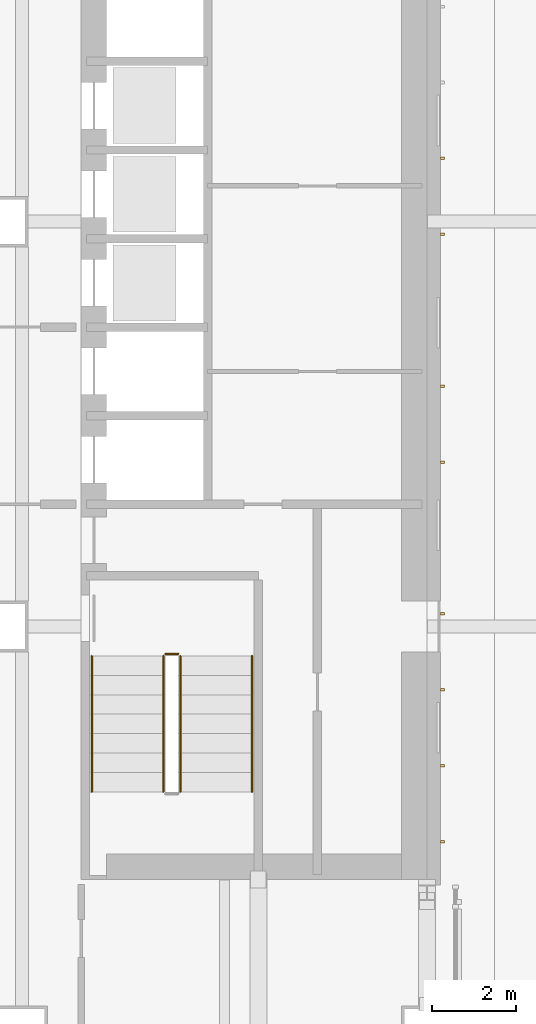
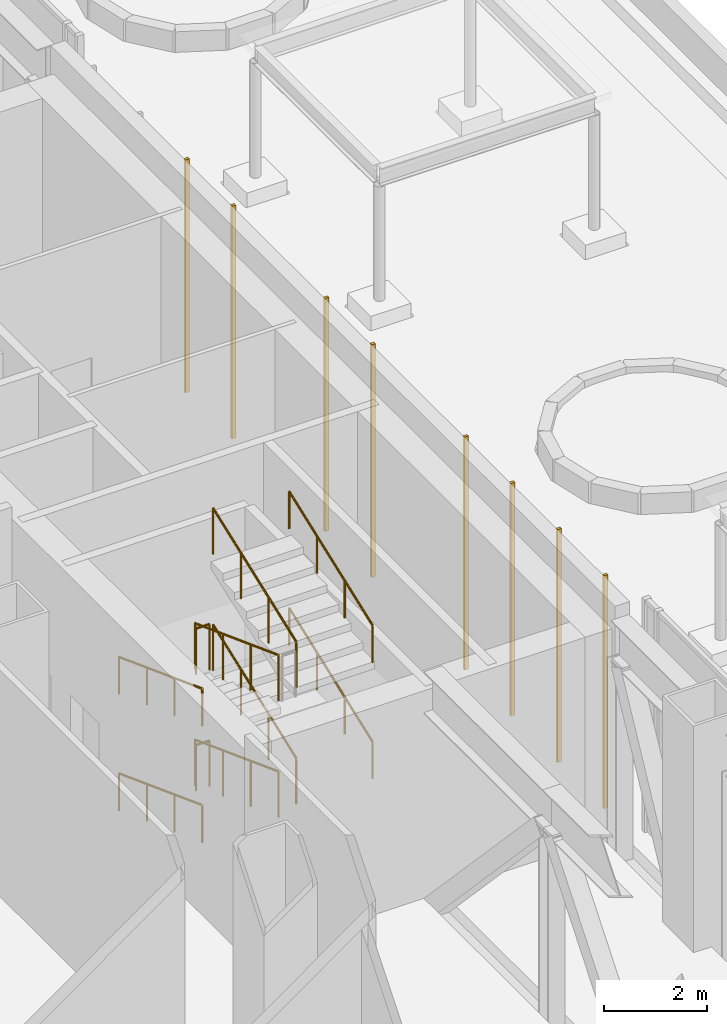
# One storey, part 34 of 39: 10 railings, 8 coverings.
"""IFC4 building model written with IfcOpenShell, lengths in metres."""

from ifc_helpers import new_model, si_unit, direction, frame, origin, origin_2d, place, context, subcontext, project, spatial, rectangle, circle, extrude, material, type_object, element, save


model = new_model("IFC4")

# Units and contexts
model_context = context("Model", 3, precision=1e-05, world=origin(), true_north=direction((0.0, 1.0)))
body_context = subcontext(model_context, "Body", "Model", "MODEL_VIEW")
ifc_project = project(units=[si_unit("LENGTHUNIT", "METRE"), si_unit("AREAUNIT", "SQUARE_METRE"), si_unit("VOLUMEUNIT", "CUBIC_METRE"), si_unit("PLANEANGLEUNIT", "RADIAN"), si_unit("MASSUNIT", "GRAM", prefix="KILO")], contexts=[model_context])

# Site, building, storey
site_placement = place(None, origin())
site = spatial("IfcSite", under=ifc_project, at=site_placement, CompositionType="ELEMENT")
building_placement = place(site_placement, origin())
building = spatial("IfcBuilding", under=site, at=building_placement, Name="Cobrizo Arcos Hotel Tower", CompositionType="ELEMENT")
storey_placement = place(building_placement, frame((0.0, 0.0, 33.5)))
storey = spatial("IfcBuildingStorey", under=building, at=storey_placement, Name="L06", CompositionType="ELEMENT", Elevation=33.5)

# Coverings
ifc_material_1 = material(Name="Aluminium 6063-T6 anodised pale", Category="aluminium")
covering_type = type_object("IfcCoveringType", Name="RS-1 rainscreen rib 60x90", PredefinedType="CLADDING", material=ifc_material_1)
for number, where, z_axis, x_axis, name in (
    (1, (24.3701171875, -9.89990234375, 0.0), (0.0, 0.0, 1.0), (0.0, 1.0, 0.0), "Rainscreen rib 1"),
    (2, (24.3701171875, -8.10009765625, 0.0), (0.0, 0.0, 1.0), (0.0, 1.0, 0.0), "Rainscreen rib 2"),
    (3, (24.3701171875, -6.300048828125, 0.0), (0.0, 0.0, 1.0), (0.0, 1.0, 0.0), "Rainscreen rib 3"),
    (4, (24.3701171875, -4.5, 0.0), (0.0, 0.0, 1.0), (0.0, 1.0, 0.0), "Rainscreen rib 4"),
    (5, (24.3701171875, -0.89990234375, 0.0), (0.0, 0.0, 1.0), (0.0, 1.0, 0.0), "Rainscreen rib 5"),
    (6, (24.3701171875, 0.89990234375, 0.0), (0.0, 0.0, 1.0), (0.0, 1.0, 0.0), "Rainscreen rib 6"),
    (7, (24.3701171875, 4.5, 0.0), (0.0, 0.0, 1.0), (0.0, 1.0, 0.0), "Rainscreen rib 7"),
    (8, (24.3701171875, 6.300048828125, 0.0), (0.0, 0.0, 1.0), (0.0, 1.0, 0.0), "Rainscreen rib 8"),
):
    element("IfcCovering", number, at=place(storey_placement, frame(where, z_axis=z_axis, x_axis=x_axis)), inside=storey, type_object=covering_type, Name=name, PredefinedType="CLADDING", context=body_context, shape_type="SweptSolid", body=[
        extrude(rectangle(XDim=0.06005859375, YDim=0.090087890625, at=origin_2d()), origin(), (0.0, 0.0, 1.0), 5.5),
    ])

# Railings
ifc_material_2 = material(Name="Stainless steel railing", Category="steel")
railing_type_1 = type_object("IfcRailingType", Name="Stair guard 1100", PredefinedType="GUARDRAIL", material=ifc_material_2)
railing_1_placement = place(storey_placement, frame((17.75, -5.5, 0.171875)))
element("IfcRailing", 9, at=railing_1_placement, inside=storey, type_object=railing_type_1, Name="L06 ST-E stair guard 1", PredefinedType="GUARDRAIL", context=body_context, shape_type="SweptSolid", body=[
    extrude(circle(Radius=0.02392578125, at=origin_2d()), frame((0.0, 0.0, 1.076171875), z_axis=(0.0, -0.936745908249, 0.350010147536), x_axis=(1.0, 0.0, 0.0)), (0.0, 0.0, 1.0), 3.4375),
    extrude(circle(Radius=0.02099609375, at=origin_2d()), origin(), (0.0, 0.0, 1.0), 1.052001953125),
    extrude(circle(Radius=0.02099609375, at=origin_2d()), frame((0.0, -1.0732421875, 0.401123046875)), (0.0, 0.0, 1.0), 1.052001953125),
    extrude(circle(Radius=0.02099609375, at=origin_2d()), frame((0.0, -2.146728515625, 0.802001953125)), (0.0, 0.0, 1.0), 1.052001953125),
    extrude(circle(Radius=0.02099609375, at=origin_2d()), frame((0.0, -3.219970703125, 1.203125)), (0.0, 0.0, 1.0), 1.052001953125),
])
railing_2_placement = place(storey_placement, frame((18.14990234375, -8.719970703125, 1.546875)))
element("IfcRailing", 10, at=railing_2_placement, inside=storey, type_object=railing_type_1, Name="L06 ST-E stair guard 3", PredefinedType="GUARDRAIL", context=body_context, shape_type="SweptSolid", body=[
    extrude(circle(Radius=0.02392578125, at=origin_2d()), frame((0.0, 0.0, 1.076171875), z_axis=(0.0, 0.936745908249, 0.350010147536), x_axis=(-1.0, 0.0, 0.0)), (0.0, 0.0, 1.0), 3.4375),
    extrude(circle(Radius=0.02099609375, at=origin_2d()), origin(), (0.0, 0.0, 1.0), 1.052001953125),
    extrude(circle(Radius=0.02099609375, at=origin_2d()), frame((0.0, 1.0732421875, 0.401123046875)), (0.0, 0.0, 1.0), 1.052001953125),
    extrude(circle(Radius=0.02099609375, at=origin_2d()), frame((0.0, 2.146728515625, 0.802001953125)), (0.0, 0.0, 1.0), 1.052001953125),
    extrude(circle(Radius=0.02099609375, at=origin_2d()), frame((0.0, 3.219970703125, 1.203125)), (0.0, 0.0, 1.0), 1.052001953125),
])
railing_3_placement = place(storey_placement, frame((17.800048828125, -5.449951171875, 2.75)))
element("IfcRailing", 11, at=railing_3_placement, inside=storey, type_object=railing_type_1, Name="L06 ST-E stair guard 4", PredefinedType="GUARDRAIL", context=body_context, shape_type="SweptSolid", body=[
    extrude(circle(Radius=0.02392578125, at=origin_2d()), frame((0.0, 0.0, 1.076171875), z_axis=(1.0, 0.0, 0.0), x_axis=(0.0, 1.0, 0.0)), (0.0, 0.0, 1.0), 0.300048828125),
    extrude(circle(Radius=0.02099609375, at=origin_2d()), origin(), (0.0, 0.0, 1.0), 1.052001953125),
    extrude(circle(Radius=0.02099609375, at=origin_2d()), frame((0.300048828125, 0.0, 0.0)), (0.0, 0.0, 1.0), 1.052001953125),
])
railing_4_placement = place(storey_placement, frame((17.75, -5.5, 2.921875)))
element("IfcRailing", 12, at=railing_4_placement, inside=storey, type_object=railing_type_1, Name="L06 ST-E stair guard 5", PredefinedType="GUARDRAIL", context=body_context, shape_type="SweptSolid", body=[
    extrude(circle(Radius=0.02392578125, at=origin_2d()), frame((0.0, 0.0, 1.076171875), z_axis=(0.0, -0.936745908249, 0.350010147536), x_axis=(1.0, 0.0, 0.0)), (0.0, 0.0, 1.0), 3.4375),
    extrude(circle(Radius=0.02099609375, at=origin_2d()), origin(), (0.0, 0.0, 1.0), 1.052001953125),
    extrude(circle(Radius=0.02099609375, at=origin_2d()), frame((0.0, -1.0732421875, 0.401123046875)), (0.0, 0.0, 1.0), 1.052001953125),
    extrude(circle(Radius=0.02099609375, at=origin_2d()), frame((0.0, -2.146728515625, 0.802001953125)), (0.0, 0.0, 1.0), 1.052001953125),
    extrude(circle(Radius=0.02099609375, at=origin_2d()), frame((0.0, -3.219970703125, 1.203125)), (0.0, 0.0, 1.0), 1.052001953125),
])
railing_5_placement = place(storey_placement, frame((18.14990234375, -8.719970703125, 4.296875)))
element("IfcRailing", 13, at=railing_5_placement, inside=storey, type_object=railing_type_1, Name="L06 ST-E stair guard 7", PredefinedType="GUARDRAIL", context=body_context, shape_type="SweptSolid", body=[
    extrude(circle(Radius=0.02392578125, at=origin_2d()), frame((0.0, 0.0, 1.076171875), z_axis=(0.0, 0.936745908249, 0.350010147536), x_axis=(-1.0, 0.0, 0.0)), (0.0, 0.0, 1.0), 3.4375),
    extrude(circle(Radius=0.02099609375, at=origin_2d()), origin(), (0.0, 0.0, 1.0), 1.052001953125),
    extrude(circle(Radius=0.02099609375, at=origin_2d()), frame((0.0, 1.0732421875, 0.401123046875)), (0.0, 0.0, 1.0), 1.052001953125),
    extrude(circle(Radius=0.02099609375, at=origin_2d()), frame((0.0, 2.146728515625, 0.802001953125)), (0.0, 0.0, 1.0), 1.052001953125),
    extrude(circle(Radius=0.02099609375, at=origin_2d()), frame((0.0, 3.219970703125, 1.203125)), (0.0, 0.0, 1.0), 1.052001953125),
])
railing_6_placement = place(storey_placement, frame((17.800048828125, -5.449951171875, 0.0)))
element("IfcRailing", 14, at=railing_6_placement, inside=storey, type_object=railing_type_1, Name="L06 ST-E stair guard 8", PredefinedType="GUARDRAIL", context=body_context, shape_type="SweptSolid", body=[
    extrude(circle(Radius=0.02392578125, at=origin_2d()), frame((0.0, 0.0, 1.076171875), z_axis=(1.0, 0.0, 0.0), x_axis=(0.0, 1.0, 0.0)), (0.0, 0.0, 1.0), 0.300048828125),
    extrude(circle(Radius=0.02099609375, at=origin_2d()), origin(), (0.0, 0.0, 1.0), 1.052001953125),
    extrude(circle(Radius=0.02099609375, at=origin_2d()), frame((0.300048828125, 0.0, 0.0)), (0.0, 0.0, 1.0), 1.052001953125),
])
railing_type_2 = type_object("IfcRailingType", Name="Stair handrail", PredefinedType="HANDRAIL", material=ifc_material_2)
railing_7_placement = place(storey_placement, frame((16.050048828125, -5.5, 0.171875)))
element("IfcRailing", 15, at=railing_7_placement, inside=storey, type_object=railing_type_2, Name="L06 ST-E stair handrail 1", PredefinedType="HANDRAIL", context=body_context, shape_type="SweptSolid", body=[
    extrude(circle(Radius=0.02392578125, at=origin_2d()), frame((0.0, 0.0, 0.8759765625), z_axis=(0.0, -0.936745908249, 0.350010147536), x_axis=(1.0, 0.0, 0.0)), (0.0, 0.0, 1.0), 3.4375),
    extrude(circle(Radius=0.02099609375, at=origin_2d()), origin(), (0.0, 0.0, 1.0), 0.851806640625),
    extrude(circle(Radius=0.02099609375, at=origin_2d()), frame((0.0, -1.0732421875, 0.401123046875)), (0.0, 0.0, 1.0), 0.851806640625),
    extrude(circle(Radius=0.02099609375, at=origin_2d()), frame((0.0, -2.146728515625, 0.802001953125)), (0.0, 0.0, 1.0), 0.851806640625),
    extrude(circle(Radius=0.02099609375, at=origin_2d()), frame((0.0, -3.219970703125, 1.203125)), (0.0, 0.0, 1.0), 0.851806640625),
])
railing_8_placement = place(storey_placement, frame((19.85009765625, -8.719970703125, 1.546875)))
element("IfcRailing", 16, at=railing_8_placement, inside=storey, type_object=railing_type_2, Name="L06 ST-E stair handrail 2", PredefinedType="HANDRAIL", context=body_context, shape_type="SweptSolid", body=[
    extrude(circle(Radius=0.02392578125, at=origin_2d()), frame((0.0, 0.0, 0.8759765625), z_axis=(0.0, 0.936745908249, 0.350010147536), x_axis=(-1.0, 0.0, 0.0)), (0.0, 0.0, 1.0), 3.4375),
    extrude(circle(Radius=0.02099609375, at=origin_2d()), origin(), (0.0, 0.0, 1.0), 0.851806640625),
    extrude(circle(Radius=0.02099609375, at=origin_2d()), frame((0.0, 1.0732421875, 0.401123046875)), (0.0, 0.0, 1.0), 0.851806640625),
    extrude(circle(Radius=0.02099609375, at=origin_2d()), frame((0.0, 2.146728515625, 0.802001953125)), (0.0, 0.0, 1.0), 0.851806640625),
    extrude(circle(Radius=0.02099609375, at=origin_2d()), frame((0.0, 3.219970703125, 1.203125)), (0.0, 0.0, 1.0), 0.851806640625),
])
railing_9_placement = place(storey_placement, frame((16.050048828125, -5.5, 2.921875)))
element("IfcRailing", 17, at=railing_9_placement, inside=storey, type_object=railing_type_2, Name="L06 ST-E stair handrail 3", PredefinedType="HANDRAIL", context=body_context, shape_type="SweptSolid", body=[
    extrude(circle(Radius=0.02392578125, at=origin_2d()), frame((0.0, 0.0, 0.8759765625), z_axis=(0.0, -0.936745908249, 0.350010147536), x_axis=(1.0, 0.0, 0.0)), (0.0, 0.0, 1.0), 3.4375),
    extrude(circle(Radius=0.02099609375, at=origin_2d()), origin(), (0.0, 0.0, 1.0), 0.851806640625),
    extrude(circle(Radius=0.02099609375, at=origin_2d()), frame((0.0, -1.0732421875, 0.401123046875)), (0.0, 0.0, 1.0), 0.851806640625),
    extrude(circle(Radius=0.02099609375, at=origin_2d()), frame((0.0, -2.146728515625, 0.802001953125)), (0.0, 0.0, 1.0), 0.851806640625),
    extrude(circle(Radius=0.02099609375, at=origin_2d()), frame((0.0, -3.219970703125, 1.203125)), (0.0, 0.0, 1.0), 0.851806640625),
])
railing_10_placement = place(storey_placement, frame((19.85009765625, -8.719970703125, 4.296875)))
element("IfcRailing", 18, at=railing_10_placement, inside=storey, type_object=railing_type_2, Name="L06 ST-E stair handrail 4", PredefinedType="HANDRAIL", context=body_context, shape_type="SweptSolid", body=[
    extrude(circle(Radius=0.02392578125, at=origin_2d()), frame((0.0, 0.0, 0.8759765625), z_axis=(0.0, 0.936745908249, 0.350010147536), x_axis=(-1.0, 0.0, 0.0)), (0.0, 0.0, 1.0), 3.4375),
    extrude(circle(Radius=0.02099609375, at=origin_2d()), origin(), (0.0, 0.0, 1.0), 0.851806640625),
    extrude(circle(Radius=0.02099609375, at=origin_2d()), frame((0.0, 1.0732421875, 0.401123046875)), (0.0, 0.0, 1.0), 0.851806640625),
    extrude(circle(Radius=0.02099609375, at=origin_2d()), frame((0.0, 2.146728515625, 0.802001953125)), (0.0, 0.0, 1.0), 0.851806640625),
    extrude(circle(Radius=0.02099609375, at=origin_2d()), frame((0.0, 3.219970703125, 1.203125)), (0.0, 0.0, 1.0), 0.851806640625),
])

save(model, "model.ifc")
